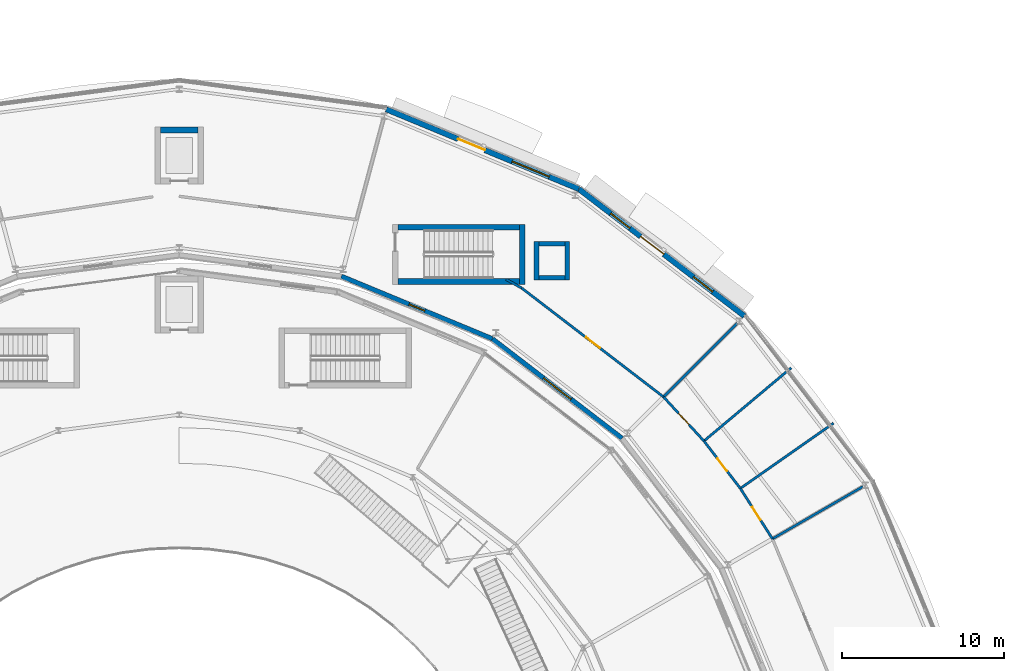
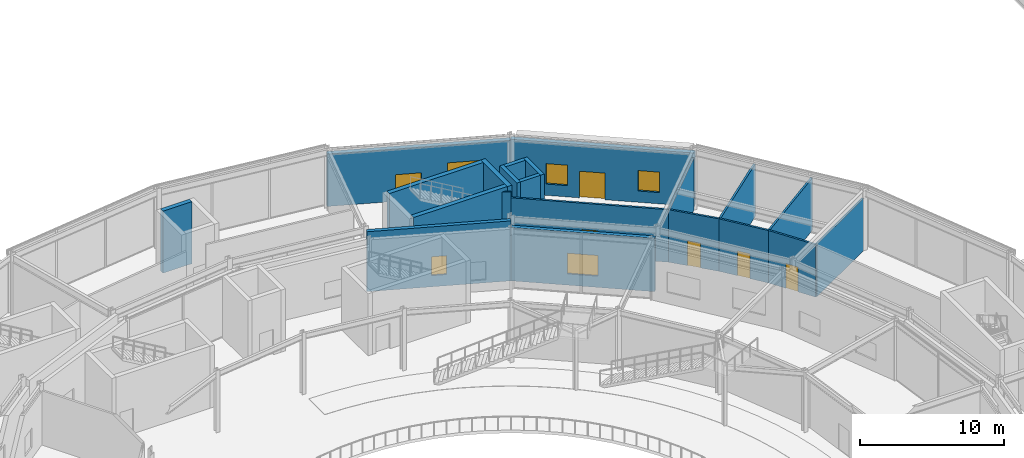
# One storey, part 126 of 168: 21 walls, 6 doors, 5 windows, 11 openings.
"""IFC4 building model written with IfcOpenShell, lengths in metres."""

import ifcopenshell
import ifcopenshell.guid

model = None  # the IFC model being written
_history = None  # IfcOwnerHistory: only IFC2X3 demands one
_inside = {}  # id of a spatial element -> (the spatial element, [elements in it])
_under = {}  # id of a project, library or spatial element -> (it, [spatial elements below it])
_declared = {}  # id of a project -> (the project, [libraries it declares])
_typed = {}  # id of a type object -> (the type object, [elements of that type])
_made_of = {}  # id of a material, layer set ... -> (it, [elements and type objects made of it])


def new_model(schema):
    """Start an empty IFC model of exactly this schema.

    Asked for "IFC4X3", IfcOpenShell would pick the latest addendum, in which some entities
    have other attributes; the version numbers below select the first issue.
    IFC2X3 requires an IfcOwnerHistory on every rooted entity: one is made here for all.
    """
    global model, _history
    if schema == "IFC4X3":
        model = ifcopenshell.file(schema_version=(4, 3, 0, 0))
    else:
        model = ifcopenshell.file(schema=schema)
    _inside.clear()
    _under.clear()
    _declared.clear()
    _typed.clear()
    _made_of.clear()
    _history = None
    if model.schema == "IFC2X3":
        org = make("IfcOrganization", Name="unknown")
        user = make(
            "IfcPersonAndOrganization",
            ThePerson=make("IfcPerson", FamilyName="unknown"),
            TheOrganization=org,
        )
        app = make(
            "IfcApplication",
            ApplicationDeveloper=org,
            Version="unknown",
            ApplicationFullName="unknown",
            ApplicationIdentifier="unknown",
        )
        _history = make(
            "IfcOwnerHistory",
            OwningUser=user,
            OwningApplication=app,
            ChangeAction="ADDED",
            CreationDate=0,
        )
    return model


def make(cls, **values):
    """One entity of the class cls with the attributes given. An attribute that is None is left unset."""
    return model.create_entity(
        cls, **{name: value for name, value in values.items() if value is not None}
    )


def rooted(cls, **values):
    """An entity with a GlobalId (a new one), such as an element, a storey or a relation."""
    return make(cls, GlobalId=ifcopenshell.guid.new(), OwnerHistory=_history, **values)


def si_unit(unit_type, name, prefix=None):
    """IfcSIUnit, for example si_unit("LENGTHUNIT", "METRE", prefix="MILLI")."""
    return make("IfcSIUnit", UnitType=unit_type, Prefix=prefix, Name=name)


def assignment(units):
    """IfcUnitAssignment: the units of a project."""
    return None if units is None else make("IfcUnitAssignment", Units=units)


def point(xyz):
    """IfcCartesianPoint."""
    return None if xyz is None else make("IfcCartesianPoint", Coordinates=xyz)


def direction(xyz):
    """IfcDirection."""
    return None if xyz is None else make("IfcDirection", DirectionRatios=xyz)


def frame(location, z_axis=None, x_axis=None):
    """IfcAxis2Placement3D, a coordinate frame: its origin and axes. An axis left out is left unset."""
    return make(
        "IfcAxis2Placement3D",
        Location=point(location),
        Axis=direction(z_axis),
        RefDirection=direction(x_axis),
    )


def frame_2d(location, x_axis=None):
    """IfcAxis2Placement2D, a coordinate frame in the plane: its origin and x axis."""
    return make(
        "IfcAxis2Placement2D", Location=point(location), RefDirection=direction(x_axis)
    )


def origin():
    """The frame at (0, 0, 0) with its axes left unset."""
    return frame((0.0, 0.0, 0.0))


def place(relative_to, where):
    """IfcLocalPlacement: puts the frame where relative to a parent placement (None: the world)."""
    return make(
        "IfcLocalPlacement", PlacementRelTo=relative_to, RelativePlacement=where
    )


def context(
    kind, dimensions, precision=None, world=None, true_north=None, identifier=None
):
    """IfcGeometricRepresentationContext, for example the 3D "Model" context."""
    return make(
        "IfcGeometricRepresentationContext",
        ContextIdentifier=identifier,
        ContextType=kind,
        CoordinateSpaceDimension=dimensions,
        Precision=precision,
        WorldCoordinateSystem=world,
        TrueNorth=true_north,
    )


def subcontext(parent, identifier, kind, view, scale=None):
    """IfcGeometricRepresentationSubContext, for example "Body" below "Model"."""
    return make(
        "IfcGeometricRepresentationSubContext",
        ContextIdentifier=identifier,
        ContextType=kind,
        ParentContext=parent,
        TargetScale=scale,
        TargetView=view,
    )


def project(units=None, contexts=None):
    """IfcProject with its units and contexts."""
    return rooted(
        "IfcProject",
        Name="project",
        RepresentationContexts=contexts,
        UnitsInContext=assignment(units),
    )


def spatial(cls, under=None, at=None, **own):
    """A site, building, storey or space (cls), placed at a placement, below another one or the project."""
    s = rooted(cls, ObjectPlacement=at, **own)
    if under is not None:
        _under.setdefault(under.id(), (under, []))[1].append(s)
    return s


def profile(cls, at=None, kind="AREA", **sizes):
    """A parametric profile (cls). Its sizes go by their IFC names, for example OverallWidth=200.0."""
    return make(cls, ProfileType=kind, Position=at, **sizes)


def rectangle(**sizes):
    """IfcRectangleProfileDef."""
    return profile("IfcRectangleProfileDef", **sizes)


def extrude(swept, where, along, depth):
    """IfcExtrudedAreaSolid: the profile swept, set in the frame where, extruded along a direction by depth."""
    return make(
        "IfcExtrudedAreaSolid",
        SweptArea=swept,
        Position=where,
        ExtrudedDirection=direction(along),
        Depth=depth,
    )


def shape(context_of_items, identifier, shape_type, items):
    """IfcShapeRepresentation: the items that make up one representation, for example the "Body"."""
    return make(
        "IfcShapeRepresentation",
        ContextOfItems=context_of_items,
        RepresentationIdentifier=identifier,
        RepresentationType=shape_type,
        Items=items,
    )


def material(Name=None, Category=None):
    """IfcMaterial."""
    return make("IfcMaterial", Name=Name, Category=Category)


def layer(
    of_material, thickness, ventilated=None, Name=None, Category=None, Priority=None
):
    """IfcMaterialLayer: one layer of a wall or slab, of a material (None: an air gap)."""
    return make(
        "IfcMaterialLayer",
        Material=of_material,
        LayerThickness=thickness,
        IsVentilated=ventilated,
        Name=Name,
        Category=Category,
        Priority=Priority,
    )


def layer_set(layers, Name=None):
    """IfcMaterialLayerSet."""
    return make("IfcMaterialLayerSet", MaterialLayers=layers, LayerSetName=Name)


def made_of(thing, what):
    """Note that an element or type object is made of a material, layer set ...; save() writes the relation."""
    if what is not None:
        _made_of.setdefault(what.id(), (what, []))[1].append(thing)
    return thing


def type_object(cls, material=None, **own):
    """A type object (cls), such as IfcWallType, which elements share."""
    return made_of(rooted(cls, **own), material)


def element(
    cls,
    number,
    at=None,
    inside=None,
    cuts=None,
    type_object=None,
    material=None,
    context=None,
    identifier="Body",
    shape_type=None,
    held_by="IfcProductDefinitionShape",
    body=None,
    shapes=None,
    **own,
):
    """One element of the class cls, such as IfcWall. Its Tag is "e" and its number.

    at: its placement. inside: the storey or other place that contains it. cuts: it is an
    opening in that element (IfcRelVoidsElement). A single representation is given by context,
    identifier, shape_type and body (its items); several are given by shapes. held_by: the class
    of the entity that holds the representations. save() writes the other relations.
    """
    e = rooted(cls, Tag="e%d" % number, ObjectPlacement=at, **own)
    if body is not None:
        shapes = [shape(context, identifier, shape_type, body)]
    if shapes is not None:
        e.Representation = make(held_by, Representations=shapes)
    if inside is not None:
        _inside.setdefault(inside.id(), (inside, []))[1].append(e)
    if cuts is not None:
        rooted(
            "IfcRelVoidsElement", RelatingBuildingElement=cuts, RelatedOpeningElement=e
        )
    if type_object is not None:
        _typed.setdefault(type_object.id(), (type_object, []))[1].append(e)
    return made_of(e, material)


def fill(opening, filler):
    """IfcRelFillsElement: the door or window that sits in an opening."""
    return rooted(
        "IfcRelFillsElement",
        RelatingOpeningElement=opening,
        RelatedBuildingElement=filler,
    )


def aggregate(whole, parts):
    """IfcRelAggregates: a whole, such as a stair, and the parts it consists of."""
    return rooted("IfcRelAggregates", RelatingObject=whole, RelatedObjects=parts)


def save(model, path):
    """Write the relations noted so far, then the file.

    IfcRelAggregates (storeys below a building ...), IfcRelContainedInSpatialStructure (elements
    in a storey), IfcRelDefinesByType, IfcRelAssociatesMaterial and IfcRelDeclares: one each for
    every whole, place, type object, material and project.
    """
    for whole, parts in _under.values():
        aggregate(whole, parts)
    for where, things in _inside.values():
        rooted(
            "IfcRelContainedInSpatialStructure",
            RelatedElements=things,
            RelatingStructure=where,
        )
    for kind, things in _typed.values():
        rooted("IfcRelDefinesByType", RelatedObjects=things, RelatingType=kind)
    for what, things in _made_of.values():
        rooted("IfcRelAssociatesMaterial", RelatedObjects=things, RelatingMaterial=what)
    for by, libraries in _declared.values():
        rooted("IfcRelDeclares", RelatingContext=by, RelatedDefinitions=libraries)
    model.write(path)


model = new_model("IFC4")

# Units and contexts
model_context = context("Model", 3, precision=1e-05, world=origin(), true_north=direction((0.0, 1.0)))
body_context = subcontext(model_context, "Body", "Model", "MODEL_VIEW")
ifc_project = project(units=[si_unit("LENGTHUNIT", "METRE"), si_unit("AREAUNIT", "SQUARE_METRE"), si_unit("VOLUMEUNIT", "CUBIC_METRE"), si_unit("PLANEANGLEUNIT", "RADIAN"), si_unit("MASSUNIT", "GRAM", prefix="KILO")], contexts=[model_context])

# Site, building, storey
site_placement = place(None, origin())
site = spatial("IfcSite", under=ifc_project, at=site_placement, CompositionType="ELEMENT")
building_placement = place(site_placement, origin())
building = spatial("IfcBuilding", under=site, at=building_placement, Name="Almandine Court Research Institute", CompositionType="ELEMENT")
storey_placement = place(building_placement, origin())
storey = spatial("IfcBuildingStorey", under=building, at=storey_placement, Name="L00", CompositionType="ELEMENT", Elevation=0.0)

# Wall, openings, door, windows
ifc_material_1 = material(Name="Andean Red-Buff Sandstone Plinth Wall", Category="masonry")
ifc_layer_1 = layer(ifc_material_1, 0.340087890625)
ifc_layer_set_1 = layer_set([ifc_layer_1], Name="Andean Red-Buff Sandstone Plinth Wall")
wall_type_1 = type_object("IfcWallType", Name="Wall-EXT-SAND-340", PredefinedType="SOLIDWALL", material=ifc_layer_set_1)
wall_1_placement = place(storey_placement, frame((111.675048828125, 98.72607421875, 0.0), z_axis=(0.0, 0.0, 1.0), x_axis=(0.79334001117, -0.608778799465, 0.0)))
wall_1 = element("IfcWall", 1, at=wall_1_placement, inside=storey, type_object=wall_type_1, Name="L00 Drum Outer Facade Wall 03", PredefinedType="SOLIDWALL", context=body_context, shape_type="SweptSolid", body=[
    extrude(rectangle(XDim=12.868408203125, YDim=0.340087890625, at=frame_2d((6.43408203125, 0.0))), origin(), (0.0, 0.0, 1.0), 4.51611328125),
])
opening_1_placement = place(wall_1_placement, frame((4.800048828125, 0.0, 0.0)))
opening_1 = element("IfcOpeningElement", 2, at=opening_1_placement, cuts=wall_1, Name="Opening EX-02", PredefinedType="OPENING", context=body_context, shape_type="SweptSolid", body=[
    extrude(rectangle(XDim=1.800048828125, YDim=2.25, at=frame_2d((0.89990234375, 1.125))), frame((0.0, 0.179931640625, 0.0), z_axis=(0.0, -1.0, 0.0), x_axis=(1.0, 0.0, 0.0)), (0.0, 0.0, 1.0), 0.360107421875),
])
opening_2_placement = place(wall_1_placement, frame((2.471923828125, 0.0, 0.949951171875)))
opening_2 = element("IfcOpeningElement", 3, at=opening_2_placement, cuts=wall_1, Name="Opening WN-46", PredefinedType="OPENING", context=body_context, shape_type="SweptSolid", body=[
    extrude(rectangle(XDim=1.489990234375, YDim=1.72998046875, at=frame_2d((0.7451171875, 0.864990234375))), frame((0.0, 0.179931640625, 0.0), z_axis=(0.0, -1.0, 0.0), x_axis=(1.0, 0.0, 0.0)), (0.0, 0.0, 1.0), 0.360107421875),
])
opening_3_placement = place(wall_1_placement, frame((8.906005859375, 0.0, 0.949951171875)))
opening_3 = element("IfcOpeningElement", 4, at=opening_3_placement, cuts=wall_1, Name="Opening WN-46", PredefinedType="OPENING", context=body_context, shape_type="SweptSolid", body=[
    extrude(rectangle(XDim=1.489990234375, YDim=1.72998046875, at=frame_2d((0.7451171875, 0.864990234375))), frame((0.0, 0.179931640625, 0.0), z_axis=(0.0, -1.0, 0.0), x_axis=(1.0, 0.0, 0.0)), (0.0, 0.0, 1.0), 0.360107421875),
])
ifc_material_2 = material(Name="Anodised Aluminium Exit Discharge Door", Category="aluminium")
door_type_1 = type_object("IfcDoorType", Name="Door-EX-1800", OperationType="DOUBLE_DOOR_SINGLE_SWING", PredefinedType="DOOR", material=ifc_material_2)
door_1_placement = place(opening_1_placement, origin())
door_1 = element("IfcDoor", 5, at=door_1_placement, inside=storey, type_object=door_type_1, Name="L00 Drum Courtyard Exit Door 03", OperationType="DOUBLE_DOOR_SINGLE_SWING", OverallHeight=2.25, OverallWidth=1.800048828125, PredefinedType="DOOR", context=body_context, shape_type="SweptSolid", body=[
    extrude(rectangle(XDim=1.800048828125, YDim=2.25, at=frame_2d((0.89990234375, 1.125))), frame((0.0, 0.02490234375, 0.0), z_axis=(0.0, -1.0, 0.0), x_axis=(1.0, 0.0, 0.0)), (0.0, 0.0, 1.0), 0.050048828125),
])
fill(opening_1, door_1)
ifc_material_3 = material(Name="Thermally Broken Low-E Double-Glazed Window", Category="glass")
window_type_1 = type_object("IfcWindowType", Name="Win-WN-46-1490x1730", PartitioningType="SINGLE_PANEL", PredefinedType="WINDOW", material=ifc_material_3)
window_1_placement = place(opening_2_placement, origin())
window_1 = element("IfcWindow", 6, at=window_1_placement, inside=storey, type_object=window_type_1, Name="L00 Modular Recessed Low-E Window 214", OverallHeight=1.72998046875, OverallWidth=1.489990234375, PartitioningType="SINGLE_PANEL", PredefinedType="WINDOW", context=body_context, shape_type="SweptSolid", body=[
    extrude(rectangle(XDim=1.489990234375, YDim=1.72998046875, at=frame_2d((0.7451171875, 0.864990234375))), frame((0.0, 0.030029296875, 0.0), z_axis=(0.0, -1.0, 0.0), x_axis=(1.0, 0.0, 0.0)), (0.0, 0.0, 1.0), 0.06005859375),
])
fill(opening_2, window_1)
window_2_placement = place(opening_3_placement, origin())
window_2 = element("IfcWindow", 7, at=window_2_placement, inside=storey, type_object=window_type_1, Name="L00 Modular Recessed Low-E Window 215", OverallHeight=1.72998046875, OverallWidth=1.489990234375, PartitioningType="SINGLE_PANEL", PredefinedType="WINDOW", context=body_context, shape_type="SweptSolid", body=[
    extrude(rectangle(XDim=1.489990234375, YDim=1.72998046875, at=frame_2d((0.7451171875, 0.864990234375))), frame((0.0, 0.030029296875, 0.0), z_axis=(0.0, -1.0, 0.0), x_axis=(1.0, 0.0, 0.0)), (0.0, 0.0, 1.0), 0.06005859375),
])
fill(opening_3, window_2)

# Wall, openings, door, window
wall_2_placement = place(storey_placement, frame((99.77587890625, 103.656982421875, 0.0), z_axis=(0.0, 0.0, 1.0), x_axis=(0.923868612896, -0.382709793584, 0.0)))
wall_2 = element("IfcWall", 8, at=wall_2_placement, inside=storey, type_object=wall_type_1, Name="L00 Drum Outer Facade Wall 04", PredefinedType="SOLIDWALL", context=body_context, shape_type="SweptSolid", body=[
    extrude(rectangle(XDim=12.868896484375, YDim=0.340087890625, at=frame_2d((6.4345703125, 0.0))), origin(), (0.0, 0.0, 1.0), 4.43310546875),
])
opening_4_placement = place(wall_2_placement, frame((4.800048828125, 0.0, 0.0)))
opening_4 = element("IfcOpeningElement", 9, at=opening_4_placement, cuts=wall_2, Name="Opening EX-02", PredefinedType="OPENING", context=body_context, shape_type="SweptSolid", body=[
    extrude(rectangle(XDim=1.800048828125, YDim=2.25, at=frame_2d((0.89990234375, 1.125))), frame((0.0, 0.179931640625, 0.0), z_axis=(0.0, -1.0, 0.0), x_axis=(1.0, 0.0, 0.0)), (0.0, 0.0, 1.0), 0.360107421875),
])
opening_5_placement = place(wall_2_placement, frame((8.412109375, 0.0, 0.949951171875)))
opening_5 = element("IfcOpeningElement", 10, at=opening_5_placement, cuts=wall_2, Name="Opening WN-49", PredefinedType="OPENING", context=body_context, shape_type="SweptSolid", body=[
    extrude(rectangle(XDim=2.47998046875, YDim=1.969970703125, at=frame_2d((1.239990234375, 0.98486328125))), frame((0.0, 0.179931640625, 0.0), z_axis=(0.0, -1.0, 0.0), x_axis=(1.0, 0.0, 0.0)), (0.0, 0.0, 1.0), 0.360107421875),
])
door_2_placement = place(opening_4_placement, origin())
door_2 = element("IfcDoor", 11, at=door_2_placement, inside=storey, type_object=door_type_1, Name="L00 Drum Courtyard Exit Door 04", OperationType="DOUBLE_DOOR_SINGLE_SWING", OverallHeight=2.25, OverallWidth=1.800048828125, PredefinedType="DOOR", context=body_context, shape_type="SweptSolid", body=[
    extrude(rectangle(XDim=1.800048828125, YDim=2.25, at=frame_2d((0.89990234375, 1.125))), frame((0.0, 0.02490234375, 0.0), z_axis=(0.0, -1.0, 0.0), x_axis=(1.0, 0.0, 0.0)), (0.0, 0.0, 1.0), 0.050048828125),
])
fill(opening_4, door_2)
window_type_2 = type_object("IfcWindowType", Name="Win-WN-49-2480x1970", PartitioningType="SINGLE_PANEL", PredefinedType="WINDOW", material=ifc_material_3)
window_3_placement = place(opening_5_placement, origin())
window_3 = element("IfcWindow", 12, at=window_3_placement, inside=storey, type_object=window_type_2, Name="L00 Modular Recessed Low-E Window 217", OverallHeight=1.969970703125, OverallWidth=2.47998046875, PartitioningType="SINGLE_PANEL", PredefinedType="WINDOW", context=body_context, shape_type="SweptSolid", body=[
    extrude(rectangle(XDim=2.47998046875, YDim=1.969970703125, at=frame_2d((1.239990234375, 0.98486328125))), frame((0.0, 0.030029296875, 0.0), z_axis=(0.0, -1.0, 0.0), x_axis=(1.0, 0.0, 0.0)), (0.0, 0.0, 1.0), 0.06005859375),
])
fill(opening_5, window_3)

# Wall, opening, window
ifc_material_4 = material(Name="Insulated Ochre Terracotta Rainscreen Wall", Category="masonry")
ifc_layer_2 = layer(ifc_material_4, 0.2900390625)
ifc_layer_set_2 = layer_set([ifc_layer_2], Name="Insulated Ochre Terracotta Rainscreen Wall")
wall_type_2 = type_object("IfcWallType", Name="Wall-EXT-TERR-290", PredefinedType="SOLIDWALL", material=ifc_layer_set_2)
wall_3_placement = place(storey_placement, frame((114.33203125, 83.341064453125, 0.0), z_axis=(0.0, 0.0, 1.0), x_axis=(-0.793371621275, 0.608737604027, 0.0)))
wall_3 = element("IfcWall", 13, at=wall_3_placement, inside=storey, type_object=wall_type_2, Name="L00 Drum Inner Gallery Wall 03", PredefinedType="SOLIDWALL", context=body_context, shape_type="SweptSolid", body=[
    extrude(rectangle(XDim=10.079833984375, YDim=0.2900390625, at=frame_2d((5.0400390625, 0.0))), origin(), (0.0, 0.0, 1.0), 4.51611328125),
])
opening_6_placement = place(wall_3_placement, frame((3.965087890625, 0.0, 0.949951171875)))
opening_6 = element("IfcOpeningElement", 14, at=opening_6_placement, cuts=wall_3, Name="Opening WN-101", PredefinedType="OPENING", context=body_context, shape_type="SweptSolid", body=[
    extrude(rectangle(XDim=2.14990234375, YDim=1.75, at=frame_2d((1.074951171875, 0.875))), frame((0.0, 0.155029296875, 0.0), z_axis=(0.0, -1.0, 0.0), x_axis=(1.0, 0.0, 0.0)), (0.0, 0.0, 1.0), 0.31005859375),
])
window_type_3 = type_object("IfcWindowType", Name="Win-WN-101-2150x1750", PartitioningType="SINGLE_PANEL", PredefinedType="WINDOW", material=ifc_material_3)
window_4_placement = place(opening_6_placement, origin())
window_4 = element("IfcWindow", 15, at=window_4_placement, inside=storey, type_object=window_type_3, Name="L00 Modular Recessed Low-E Window 216", OverallHeight=1.75, OverallWidth=2.14990234375, PartitioningType="SINGLE_PANEL", PredefinedType="WINDOW", context=body_context, shape_type="SweptSolid", body=[
    extrude(rectangle(XDim=2.14990234375, YDim=1.75, at=frame_2d((1.074951171875, 0.875))), frame((0.0, 0.030029296875, 0.0), z_axis=(0.0, -1.0, 0.0), x_axis=(1.0, 0.0, 0.0)), (0.0, 0.0, 1.0), 0.06005859375),
])
fill(opening_6, window_4)

wall_4_placement = place(storey_placement, frame((106.324951171875, 89.48291015625, 0.0), z_axis=(0.0, 0.0, 1.0), x_axis=(-0.92385889973, 0.382733240508, 0.0)))
wall_4 = element("IfcWall", 16, at=wall_4_placement, inside=storey, type_object=wall_type_2, Name="L00 Drum Inner Gallery Wall 04", PredefinedType="SOLIDWALL", context=body_context, shape_type="SweptSolid", body=[
    extrude(rectangle(XDim=10.08056640625, YDim=0.2900390625, at=frame_2d((5.040283203125, 0.0))), origin(), (0.0, 0.0, 1.0), 5.070068359375),
])
opening_7_placement = place(wall_4_placement, frame((4.514892578125, 0.0, 0.949951171875)))
opening_7 = element("IfcOpeningElement", 17, at=opening_7_placement, cuts=wall_4, Name="Opening WN-35", PredefinedType="OPENING", context=body_context, shape_type="SweptSolid", body=[
    extrude(rectangle(XDim=1.050048828125, YDim=1.590087890625, at=frame_2d((0.52490234375, 0.794921875))), frame((0.0, 0.155029296875, 0.0), z_axis=(0.0, -1.0, 0.0), x_axis=(1.0, 0.0, 0.0)), (0.0, 0.0, 1.0), 0.31005859375),
])
window_type_4 = type_object("IfcWindowType", Name="Win-WN-35-1050x1590", PartitioningType="SINGLE_PANEL", PredefinedType="WINDOW", material=ifc_material_3)
window_5_placement = place(opening_7_placement, origin())
window_5 = element("IfcWindow", 18, at=window_5_placement, inside=storey, type_object=window_type_4, Name="L00 Modular Recessed Low-E Window 218", OverallHeight=1.590087890625, OverallWidth=1.050048828125, PartitioningType="SINGLE_PANEL", PredefinedType="WINDOW", context=body_context, shape_type="SweptSolid", body=[
    extrude(rectangle(XDim=1.050048828125, YDim=1.590087890625, at=frame_2d((0.52490234375, 0.794921875))), frame((0.0, 0.030029296875, 0.0), z_axis=(0.0, -1.0, 0.0), x_axis=(1.0, 0.0, 0.0)), (0.0, 0.0, 1.0), 0.06005859375),
])
fill(opening_7, window_5)

# Wall, opening, door
ifc_material_5 = material(Name="Acoustic Steel-Stud Gypsum Partition Wall", Category="steel")
ifc_layer_3 = layer(ifc_material_5, 0.14990234375)
ifc_layer_set_3 = layer_set([ifc_layer_3], Name="Acoustic Steel-Stud Gypsum Partition Wall")
wall_type_3 = type_object("IfcWallType", Name="Wall-PART-150", PredefinedType="PARTITIONING", material=ifc_layer_set_3)
wall_5_placement = place(storey_placement, frame((123.615966796875, 77.139892578125, 0.0), z_axis=(0.0, 0.0, 1.0), x_axis=(-0.537290836095, 0.843397034289, 0.0)))
wall_5 = element("IfcWall", 19, at=wall_5_placement, inside=storey, type_object=wall_type_3, Name="L00 Interior Partition W-V5-L00-WC-1", PredefinedType="PARTITIONING", context=body_context, shape_type="SweptSolid", body=[
    extrude(rectangle(XDim=3.688720703125, YDim=0.14990234375, at=frame_2d((1.84423828125, 0.0))), origin(), (0.0, 0.0, 1.0), 4.43798828125),
])
opening_8_placement = place(wall_5_placement, frame((1.368896484375, 0.0, 0.0)))
opening_8 = element("IfcOpeningElement", 20, at=opening_8_placement, cuts=wall_5, Name="Opening D-01", PredefinedType="OPENING", context=body_context, shape_type="SweptSolid", body=[
    extrude(rectangle(XDim=0.949951171875, YDim=2.10009765625, at=frame_2d((0.47509765625, 1.050048828125))), frame((0.0, 0.0849609375, 0.0), z_axis=(0.0, -1.0, 0.0), x_axis=(1.0, 0.0, 0.0)), (0.0, 0.0, 1.0), 0.169921875),
])
ifc_material_6 = material(Name="Solid-Core Timber Acoustic Room Door", Category="wood")
door_type_2 = type_object("IfcDoorType", Name="Door-INT-950", OperationType="NOTDEFINED", PredefinedType="DOOR", material=ifc_material_6)
door_3_placement = place(opening_8_placement, origin())
door_3 = element("IfcDoor", 21, at=door_3_placement, inside=storey, type_object=door_type_2, Name="L00 Drum Male Toilet Door", OperationType="SINGLE_SWING_RIGHT", OverallHeight=2.10009765625, OverallWidth=0.949951171875, PredefinedType="DOOR", context=body_context, shape_type="SweptSolid", body=[
    extrude(rectangle(XDim=0.949951171875, YDim=2.10009765625, at=frame_2d((0.47509765625, 1.050048828125))), frame((0.0, 0.02490234375, 0.0), z_axis=(0.0, -1.0, 0.0), x_axis=(1.0, 0.0, 0.0)), (0.0, 0.0, 1.0), 0.050048828125),
])
fill(opening_8, door_3)

wall_6_placement = place(storey_placement, frame((121.634033203125, 80.2509765625, 0.0), z_axis=(0.0, 0.0, 1.0), x_axis=(-0.608910806106, 0.793238696867, 0.0)))
wall_6 = element("IfcWall", 22, at=wall_6_placement, inside=storey, type_object=wall_type_3, Name="L00 Interior Partition W-V5-L00-WC-2", PredefinedType="PARTITIONING", context=body_context, shape_type="SweptSolid", body=[
    extrude(rectangle(XDim=3.688720703125, YDim=0.14990234375, at=frame_2d((1.84423828125, 0.0))), origin(), (0.0, 0.0, 1.0), 4.43798828125),
])
opening_9_placement = place(wall_6_placement, frame((1.368896484375, 0.0, 0.0)))
opening_9 = element("IfcOpeningElement", 23, at=opening_9_placement, cuts=wall_6, Name="Opening D-01", PredefinedType="OPENING", context=body_context, shape_type="SweptSolid", body=[
    extrude(rectangle(XDim=0.949951171875, YDim=2.10009765625, at=frame_2d((0.47509765625, 1.050048828125))), frame((0.0, 0.0849609375, 0.0), z_axis=(0.0, -1.0, 0.0), x_axis=(1.0, 0.0, 0.0)), (0.0, 0.0, 1.0), 0.169921875),
])
door_4_placement = place(opening_9_placement, origin())
door_4 = element("IfcDoor", 24, at=door_4_placement, inside=storey, type_object=door_type_2, Name="L00 Drum Female Toilet Door", OperationType="SINGLE_SWING_LEFT", OverallHeight=2.10009765625, OverallWidth=0.949951171875, PredefinedType="DOOR", context=body_context, shape_type="SweptSolid", body=[
    extrude(rectangle(XDim=0.949951171875, YDim=2.10009765625, at=frame_2d((0.47509765625, 1.050048828125))), frame((0.0, 0.02490234375, 0.0), z_axis=(0.0, -1.0, 0.0), x_axis=(1.0, 0.0, 0.0)), (0.0, 0.0, 1.0), 0.050048828125),
])
fill(opening_9, door_4)

wall_7_placement = place(storey_placement, frame((119.387939453125, 83.177001953125, 0.0), z_axis=(0.0, 0.0, 1.0), x_axis=(-0.675655682507, 0.737217334778, 0.0)))
wall_7 = element("IfcWall", 25, at=wall_7_placement, inside=storey, type_object=wall_type_3, Name="L00 Interior Partition W-V5-L00-WC-3", PredefinedType="PARTITIONING", context=body_context, shape_type="SweptSolid", body=[
    extrude(rectangle(XDim=3.688232421875, YDim=0.14990234375, at=frame_2d((1.84423828125, 0.0))), origin(), (0.0, 0.0, 1.0), 4.43798828125),
])
opening_10_placement = place(wall_7_placement, frame((1.368896484375, 0.0, 0.0)))
opening_10 = element("IfcOpeningElement", 26, at=opening_10_placement, cuts=wall_7, Name="Opening D-01", PredefinedType="OPENING", context=body_context, shape_type="SweptSolid", body=[
    extrude(rectangle(XDim=0.949951171875, YDim=2.10009765625, at=frame_2d((0.47509765625, 1.050048828125))), frame((0.0, 0.0849609375, 0.0), z_axis=(0.0, -1.0, 0.0), x_axis=(1.0, 0.0, 0.0)), (0.0, 0.0, 1.0), 0.169921875),
])
door_5_placement = place(opening_10_placement, origin())
door_5 = element("IfcDoor", 27, at=door_5_placement, inside=storey, type_object=door_type_2, Name="L00 Drum Accessible WC Door", OperationType="SINGLE_SWING_RIGHT", OverallHeight=2.10009765625, OverallWidth=0.949951171875, PredefinedType="DOOR", context=body_context, shape_type="SweptSolid", body=[
    extrude(rectangle(XDim=0.949951171875, YDim=2.10009765625, at=frame_2d((0.47509765625, 1.050048828125))), frame((0.0, 0.02490234375, 0.0), z_axis=(0.0, -1.0, 0.0), x_axis=(1.0, 0.0, 0.0)), (0.0, 0.0, 1.0), 0.050048828125),
])
fill(opening_10, door_5)

# Walls
wall_8_placement = place(storey_placement, frame((123.615966796875, 77.139892578125, 0.0), z_axis=(0.0, 0.0, 1.0), x_axis=(0.866008816382, 0.500028729123, 0.0)))
element("IfcWall", 28, at=wall_8_placement, inside=storey, type_object=wall_type_3, Name="L00 Interior Partition W-V5-L00-WCRAD-1", PredefinedType="PARTITIONING", context=body_context, shape_type="SweptSolid", body=[
    extrude(rectangle(XDim=6.43994140625, YDim=0.14990234375, at=frame_2d((3.219970703125, 0.0))), origin(), (0.0, 0.0, 1.0), 4.43798828125),
])
wall_9_placement = place(storey_placement, frame((121.634033203125, 80.2509765625, 0.0), z_axis=(0.0, 0.0, 1.0), x_axis=(0.819156749665, 0.573569716318, 0.0)))
element("IfcWall", 29, at=wall_9_placement, inside=storey, type_object=wall_type_3, Name="L00 Interior Partition W-V5-L00-WCRAD-2", PredefinedType="PARTITIONING", context=body_context, shape_type="SweptSolid", body=[
    extrude(rectangle(XDim=7.01953125, YDim=0.14990234375, at=frame_2d((3.509765625, 0.0))), origin(), (0.0, 0.0, 1.0), 4.43798828125),
])
wall_10_placement = place(storey_placement, frame((119.387939453125, 83.177001953125, 0.0), z_axis=(0.0, 0.0, 1.0), x_axis=(0.766104816456, 0.642715652682, 0.0)))
element("IfcWall", 30, at=wall_10_placement, inside=storey, type_object=wall_type_3, Name="L00 Interior Partition W-V5-L00-WCRAD-3", PredefinedType="PARTITIONING", context=body_context, shape_type="SweptSolid", body=[
    extrude(rectangle(XDim=7.020263671875, YDim=0.14990234375, at=frame_2d((3.51025390625, 0.0))), origin(), (0.0, 0.0, 1.0), 4.43798828125),
])
wall_11_placement = place(storey_placement, frame((116.89599609375, 85.89599609375, 0.0), z_axis=(0.0, 0.0, 1.0), x_axis=(0.707106781187, 0.707106781187, 0.0)))
element("IfcWall", 31, at=wall_11_placement, inside=storey, type_object=wall_type_3, Name="L00 Interior Partition W-V5-L00-WCRAD-4", PredefinedType="PARTITIONING", context=body_context, shape_type="SweptSolid", body=[
    extrude(rectangle(XDim=6.440185546875, YDim=0.14990234375, at=frame_2d((3.22021484375, 0.0))), origin(), (0.0, 0.0, 1.0), 4.43798828125),
])

# Wall, opening, door
wall_12_placement = place(storey_placement, frame((116.89599609375, 85.89599609375, 0.0), z_axis=(0.0, 0.0, 1.0), x_axis=(-0.793301872689, 0.608828497024, 0.0)))
wall_12 = element("IfcWall", 32, at=wall_12_placement, inside=storey, type_object=wall_type_3, Name="L00 Interior Partition W-V5-L00-CHD-03", PredefinedType="PARTITIONING", context=body_context, shape_type="SweptSolid", body=[
    extrude(rectangle(XDim=11.03759765625, YDim=0.14990234375, at=frame_2d((5.518798828125, 0.0))), origin(), (0.0, 0.0, 1.0), 4.43798828125),
])
opening_11_placement = place(wall_12_placement, frame((4.949951171875, 0.0, 0.0)))
opening_11 = element("IfcOpeningElement", 33, at=opening_11_placement, cuts=wall_12, Name="Opening D-03", PredefinedType="OPENING", context=body_context, shape_type="SweptSolid", body=[
    extrude(rectangle(XDim=1.10009765625, YDim=2.199951171875, at=frame_2d((0.550048828125, 1.10009765625))), frame((0.0, 0.0849609375, 0.0), z_axis=(0.0, -1.0, 0.0), x_axis=(1.0, 0.0, 0.0)), (0.0, 0.0, 1.0), 0.169921875),
])
ifc_material_7 = material(Name="Acoustic Vision-Panel Seminar Door")
door_type_3 = type_object("IfcDoorType", Name="Door-INT-1100", OperationType="NOTDEFINED", PredefinedType="DOOR", material=ifc_material_7)
door_6_placement = place(opening_11_placement, origin())
door_6 = element("IfcDoor", 34, at=door_6_placement, inside=storey, type_object=door_type_3, Name="L00 Drum Bioinformatics Laboratory Door", OperationType="SINGLE_SWING_LEFT", OverallHeight=2.199951171875, OverallWidth=1.10009765625, PredefinedType="DOOR", context=body_context, shape_type="SweptSolid", body=[
    extrude(rectangle(XDim=1.10009765625, YDim=2.199951171875, at=frame_2d((0.550048828125, 1.10009765625))), frame((0.0, 0.02490234375, 0.0), z_axis=(0.0, -1.0, 0.0), x_axis=(1.0, 0.0, 0.0)), (0.0, 0.0, 1.0), 0.050048828125),
])
fill(opening_11, door_6)

# Walls
wall_13_placement = place(storey_placement, frame((108.139892578125, 92.615966796875, 0.0), z_axis=(0.0, 0.0, 1.0), x_axis=(-0.872821867213, 0.488038920697, 0.0)))
element("IfcWall", 35, at=wall_13_placement, inside=storey, type_object=wall_type_3, Name="L00 Interior Partition W-V5-L00-CHD-04", PredefinedType="PARTITIONING", context=body_context, shape_type="SweptSolid", body=[
    extrude(rectangle(XDim=1.1064453125, YDim=0.14990234375, at=frame_2d((0.55322265625, 0.0))), origin(), (0.0, 0.0, 1.0), 4.929931640625),
])
ifc_material_8 = material(Name="Concrete C40/50", Category="concrete")
ifc_layer_4 = layer(ifc_material_8, 0.300048828125)
ifc_layer_set_4 = layer_set([ifc_layer_4], Name="Concrete C40/50")
wall_type_4 = type_object("IfcWallType", Name="Wall-SW-CORE-300", PredefinedType="SHEAR", material=ifc_layer_set_4)
wall_14_placement = place(storey_placement, frame((109.050048828125, 93.10009765625, 0.0), z_axis=(0.0, 0.0, 1.0), x_axis=(0.0, 1.0, 0.0)))
element("IfcWall", 36, at=wall_14_placement, inside=storey, type_object=wall_type_4, Name="L00 MEP Riser RS-V5A W Shear Wall", PredefinedType="SHEAR", context=body_context, shape_type="SweptSolid", body=[
    extrude(rectangle(XDim=2.39990234375, YDim=0.300048828125, at=frame_2d((1.199951171875, 0.0))), origin(), (0.0, 0.0, 1.0), 5.070068359375),
])
wall_15_placement = place(storey_placement, frame((109.199951171875, 95.35009765625, 0.0), z_axis=(0.0, 0.0, 1.0), x_axis=(1.0, 0.0, 0.0)))
element("IfcWall", 37, at=wall_15_placement, inside=storey, type_object=wall_type_4, Name="L00 MEP Riser RS-V5A N Shear Wall", PredefinedType="SHEAR", context=body_context, shape_type="SweptSolid", body=[
    extrude(rectangle(XDim=1.60009765625, YDim=0.300048828125, at=frame_2d((0.800048828125, 0.0))), origin(), (0.0, 0.0, 1.0), 5.070068359375),
])
wall_16_placement = place(storey_placement, frame((110.949951171875, 95.5, 0.0), z_axis=(0.0, 0.0, 1.0), x_axis=(0.0, -1.0, 0.0)))
element("IfcWall", 38, at=wall_16_placement, inside=storey, type_object=wall_type_4, Name="L00 MEP Riser RS-V5A E Shear Wall", PredefinedType="SHEAR", context=body_context, shape_type="SweptSolid", body=[
    extrude(rectangle(XDim=2.39990234375, YDim=0.300048828125, at=frame_2d((1.199951171875, 0.0))), origin(), (0.0, 0.0, 1.0), 5.070068359375),
])
wall_17_placement = place(storey_placement, frame((110.800048828125, 93.25, 0.0), z_axis=(0.0, 0.0, 1.0), x_axis=(-1.0, 0.0, 0.0)))
element("IfcWall", 39, at=wall_17_placement, inside=storey, type_object=wall_type_4, Name="L00 MEP Riser RS-V5A S Shear Wall", PredefinedType="SHEAR", context=body_context, shape_type="SweptSolid", body=[
    extrude(rectangle(XDim=1.60009765625, YDim=0.300048828125, at=frame_2d((0.800048828125, 0.0))), origin(), (0.0, 0.0, 1.0), 5.070068359375),
])
ifc_layer_5 = layer(ifc_material_8, 0.35009765625)
ifc_layer_set_5 = layer_set([ifc_layer_5], Name="Concrete C40/50")
wall_type_5 = type_object("IfcWallType", Name="Wall-SW-CORE-350", PredefinedType="SHEAR", material=ifc_layer_set_5)
wall_18_placement = place(storey_placement, frame((100.5, 96.375, 0.0), z_axis=(0.0, 0.0, 1.0), x_axis=(1.0, 0.0, 0.0)))
element("IfcWall", 40, at=wall_18_placement, inside=storey, type_object=wall_type_5, Name="L00 ST-09 N Shear Wall", PredefinedType="SHEAR", context=body_context, shape_type="SweptSolid", body=[
    extrude(rectangle(XDim=7.5, YDim=0.35009765625, at=frame_2d((3.75, 0.0))), origin(), (0.0, 0.0, 1.0), 5.25),
])
wall_19_placement = place(storey_placement, frame((108.175048828125, 96.550048828125, 0.0), z_axis=(0.0, 0.0, 1.0), x_axis=(0.0, -1.0, 0.0)))
element("IfcWall", 41, at=wall_19_placement, inside=storey, type_object=wall_type_5, Name="L00 ST-09 E Shear Wall", PredefinedType="SHEAR", context=body_context, shape_type="SweptSolid", body=[
    extrude(rectangle(XDim=3.699951171875, YDim=0.35009765625, at=frame_2d((1.85009765625, 0.0))), origin(), (0.0, 0.0, 1.0), 5.25),
])
wall_20_placement = place(storey_placement, frame((108.0, 93.02490234375, 0.0), z_axis=(0.0, 0.0, 1.0), x_axis=(-1.0, 0.0, 0.0)))
element("IfcWall", 42, at=wall_20_placement, inside=storey, type_object=wall_type_5, Name="L00 ST-09 S Shear Wall", PredefinedType="SHEAR", context=body_context, shape_type="SweptSolid", body=[
    extrude(rectangle(XDim=7.5, YDim=0.35009765625, at=frame_2d((3.75, 0.0))), origin(), (0.0, 0.0, 1.0), 5.25),
])
wall_21_placement = place(storey_placement, frame((85.85009765625, 102.375, 0.0), z_axis=(0.0, 0.0, 1.0), x_axis=(1.0, 0.0, 0.0)))
element("IfcWall", 43, at=wall_21_placement, inside=storey, type_object=wall_type_5, Name="L00 PL-04 Hoistway N Shear Wall", PredefinedType="SHEAR", context=body_context, shape_type="SweptSolid", body=[
    extrude(rectangle(XDim=2.2998046875, YDim=0.35009765625, at=frame_2d((1.14990234375, 0.0))), origin(), (0.0, 0.0, 1.0), 5.25),
])

save(model, "model.ifc")
